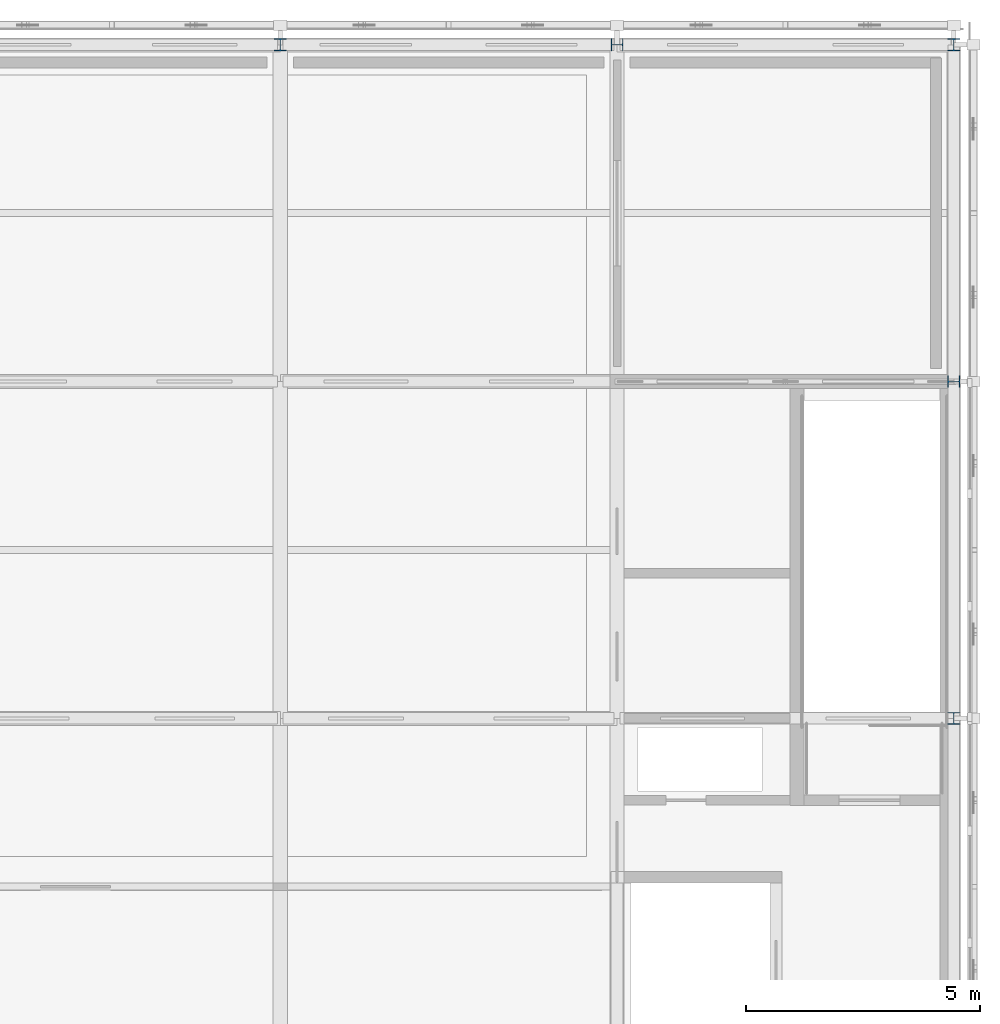
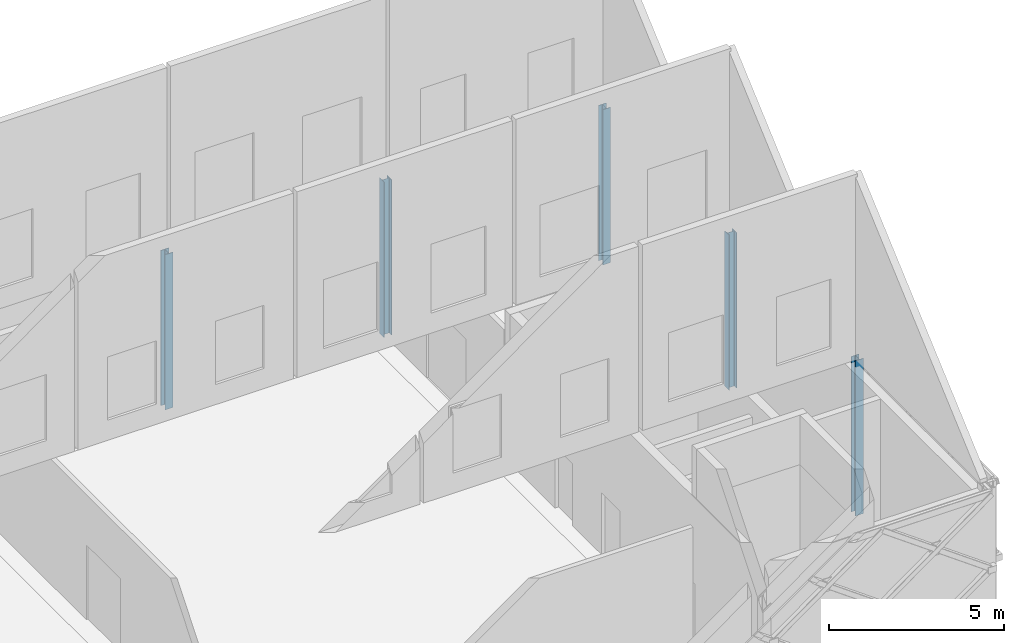
# One storey, part 4 of 31: 5 columns.
"""IFC4 building model written with IfcOpenShell, lengths in metres."""

from ifc_helpers import new_model, si_unit, direction, frame, origin, origin_2d, place, context, subcontext, project, spatial, i_section, extrude, material, material_profile, profile_set, type_object, element, save


model = new_model("IFC4")

# Units and contexts
model_context = context("Model", 3, precision=1e-05, world=origin(), true_north=direction((0.0, 1.0)))
body_context = subcontext(model_context, "Body", "Model", "MODEL_VIEW")
ifc_project = project(units=[si_unit("LENGTHUNIT", "METRE"), si_unit("AREAUNIT", "SQUARE_METRE"), si_unit("VOLUMEUNIT", "CUBIC_METRE"), si_unit("PLANEANGLEUNIT", "RADIAN"), si_unit("MASSUNIT", "GRAM", prefix="KILO")], contexts=[model_context])

# Site, building, storey
site_placement = place(None, origin())
site = spatial("IfcSite", under=ifc_project, at=site_placement, CompositionType="ELEMENT")
building_placement = place(site_placement, origin())
building = spatial("IfcBuilding", under=site, at=building_placement, Name="Zlatovets Crest Museum", CompositionType="ELEMENT")
storey_placement = place(building_placement, frame((0.0, 0.0, 25.199951171875)))
storey = spatial("IfcBuildingStorey", under=building, at=storey_placement, Name="L05", CompositionType="ELEMENT", Elevation=25.199951171875)

# Columns
ifc_material = material(Name="Structural steel S355J2", Category="steel")
ifc_material_profile = material_profile(ifc_material, i_section(OverallWidth=0.260009765625, OverallDepth=0.260009765625, WebThickness=0.010009765625, FlangeThickness=0.017578125, FilletRadius=0.02392578125, at=origin_2d()), Name="HEB 260")
ifc_profile_set = profile_set([ifc_material_profile], Name="Structural steel S355J2")
column_type = type_object("IfcColumnType", Name="Col_C-10", PredefinedType="COLUMN", material=ifc_profile_set)
for number, where, z_axis, x_axis, name in (
    (1, (93.60009765625, 115.199951171875, 0.0), (0.0, 0.0, 1.0), (1.0, 0.0, 0.0), "V1 L05 Column (93.6, 115.2)"),
    (2, (100.800048828125, 115.199951171875, 0.0), (0.0, 0.0, 1.0), (0.0, 1.0, 0.0), "V1 L05 Column (100.8, 115.2)"),
    (3, (108.0, 100.800048828125, 0.0), (0.0, 0.0, 1.0), (1.0, 0.0, 0.0), "V1 L05 Column (108.0, 100.8)"),
    (4, (108.0, 108.0, 0.0), (0.0, 0.0, 1.0), (0.0, 1.0, 0.0), "V1 L05 Column (108.0, 108.0)"),
    (5, (108.0, 115.199951171875, 0.0), (0.0, 0.0, 1.0), (1.0, 0.0, 0.0), "V1 L05 Column (108.0, 115.2)"),
):
    element("IfcColumn", number, at=place(storey_placement, frame(where, z_axis=z_axis, x_axis=x_axis)), inside=storey, type_object=column_type, Name=name, PredefinedType="COLUMN", context=body_context, shape_type="SweptSolid", body=[
        extrude(i_section(OverallWidth=0.260009765625, OverallDepth=0.260009765625, WebThickness=0.010009765625, FlangeThickness=0.017578125, FilletRadius=0.02392578125, at=origin_2d()), origin(), (0.0, 0.0, 1.0), 5.400146484375),
    ])

save(model, "model.ifc")
